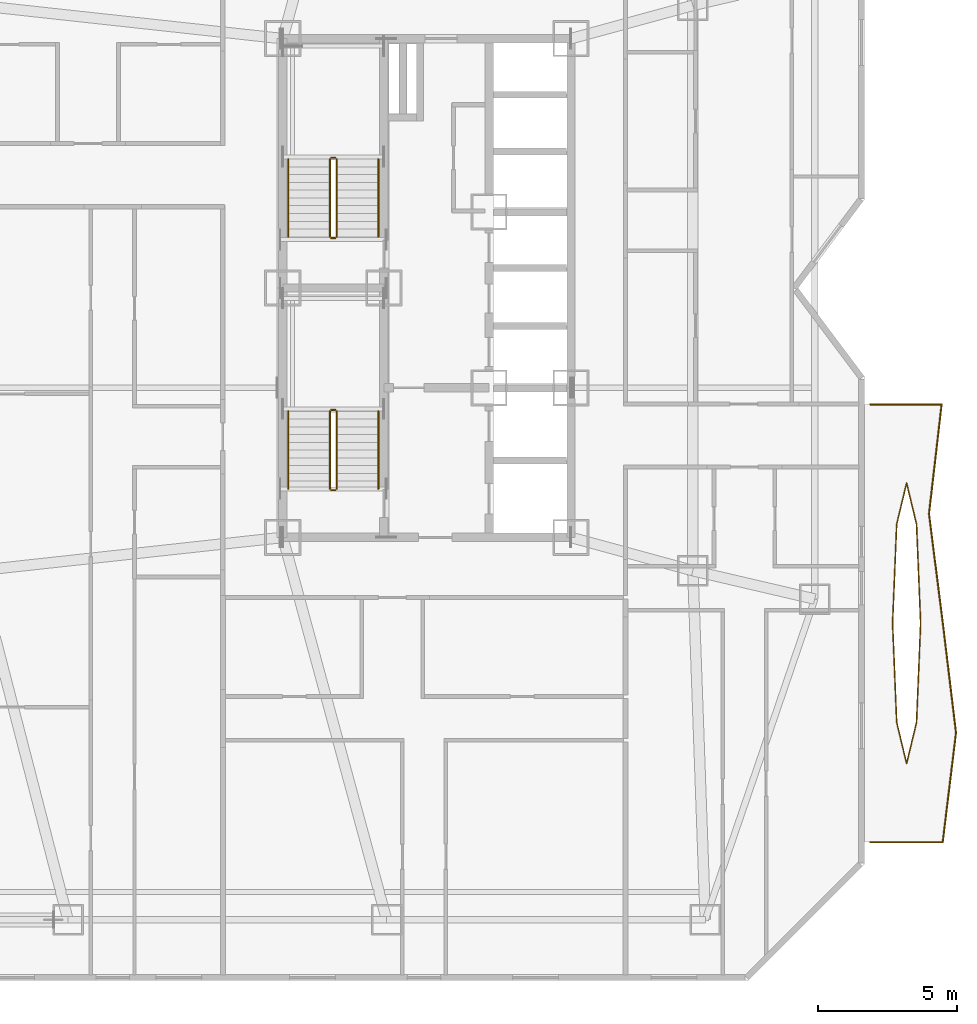
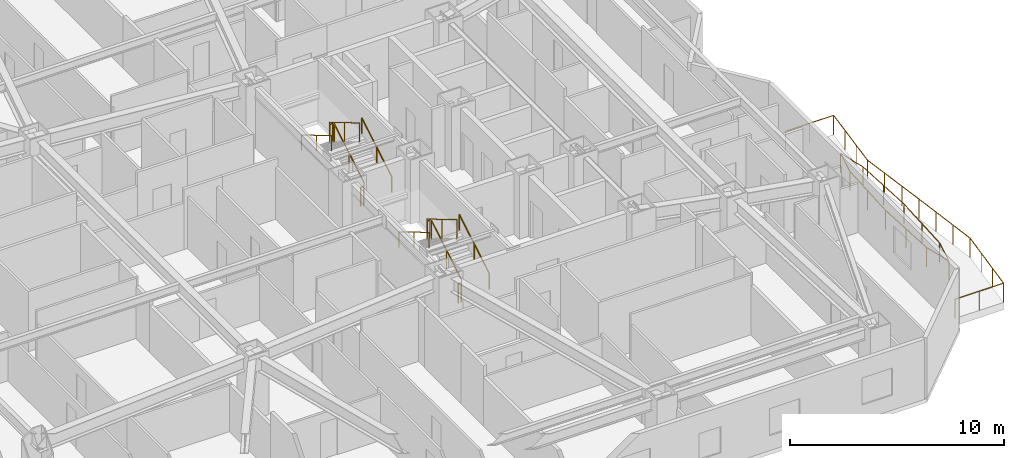
# One storey, part 15 of 16: 16 railings.
"""IFC4 building model written with IfcOpenShell, lengths in metres."""

from ifc_helpers import new_model, si_unit, direction, frame, origin, origin_2d, place, context, subcontext, project, spatial, circle, extrude, material, type_object, element, save


model = new_model("IFC4")

# Units and contexts
model_context = context("Model", 3, precision=1e-05, world=origin(), true_north=direction((0.0, 1.0)))
body_context = subcontext(model_context, "Body", "Model", "MODEL_VIEW")
ifc_project = project(units=[si_unit("LENGTHUNIT", "METRE"), si_unit("AREAUNIT", "SQUARE_METRE"), si_unit("VOLUMEUNIT", "CUBIC_METRE"), si_unit("PLANEANGLEUNIT", "RADIAN"), si_unit("MASSUNIT", "GRAM", prefix="KILO")], contexts=[model_context])

# Site, building, storey
site_placement = place(None, origin())
site = spatial("IfcSite", under=ifc_project, at=site_placement, CompositionType="ELEMENT")
building_placement = place(site_placement, origin())
building = spatial("IfcBuilding", under=site, at=building_placement, Name="Khamvora Tower", CompositionType="ELEMENT")
storey_placement = place(building_placement, frame((0.0, 0.0, 55.199951171875)))
storey = spatial("IfcBuildingStorey", under=building, at=storey_placement, Name="L13", CompositionType="ELEMENT", Elevation=55.199951171875)

# Railings
ifc_material_1 = material(Name="Stainless Steel 316 and Laminated Glass", Category="steel")
railing_type_1 = type_object("IfcRailingType", Name="RAL-GAL-1120", PredefinedType="GUARDRAIL", material=ifc_material_1)
railing_1_placement = place(storey_placement, frame((50.199951171875, 8.0, 0.0)))
element("IfcRailing", 1, at=railing_1_placement, inside=storey, type_object=railing_type_1, Name="L13 lens gallery south perimeter guardrail EL1", PredefinedType="GUARDRAIL", context=body_context, shape_type="SweptSolid", body=[
    extrude(circle(Radius=0.02392578125, at=origin_2d()), frame((0.0, 0.0, 1.09619140625), z_axis=(1.0, 0.0, 0.0), x_axis=(0.0, 1.0, 0.0)), (0.0, 0.0, 1.0), 2.6201171875),
    extrude(circle(Radius=0.02392578125, at=origin_2d()), frame((2.6201171875, 0.0, 1.09619140625), z_axis=(0.120628208714, 0.992697756249, 0.0), x_axis=(-0.992697756249, 0.120628208714, 0.0)), (0.0, 0.0, 1.0), 3.97900390625),
    extrude(circle(Radius=0.02392578125, at=origin_2d()), frame((3.10009765625, 3.949951171875, 1.09619140625), z_axis=(-0.119418653887, 0.9928439883, 0.0), x_axis=(-0.9928439883, -0.119418653887, 0.0)), (0.0, 0.0, 1.0), 3.978515625),
    extrude(circle(Radius=0.02099609375, at=origin_2d()), origin(), (0.0, 0.0, 1.0), 1.072021484375),
    extrude(circle(Radius=0.02099609375, at=origin_2d()), frame((1.31005859375, 0.0, 0.0)), (0.0, 0.0, 1.0), 1.072021484375),
    extrude(circle(Radius=0.02099609375, at=origin_2d()), frame((2.6201171875, 0.0, 0.0)), (0.0, 0.0, 1.0), 1.072021484375),
    extrude(circle(Radius=0.02099609375, at=origin_2d()), frame((2.780029296875, 1.316650390625, 0.0)), (0.0, 0.0, 1.0), 1.072021484375),
    extrude(circle(Radius=0.02099609375, at=origin_2d()), frame((2.940185546875, 2.63330078125, 0.0)), (0.0, 0.0, 1.0), 1.072021484375),
    extrude(circle(Radius=0.02099609375, at=origin_2d()), frame((3.10009765625, 3.949951171875, 0.0)), (0.0, 0.0, 1.0), 1.072021484375),
    extrude(circle(Radius=0.02099609375, at=origin_2d()), frame((2.941650390625, 5.2666015625, 0.0)), (0.0, 0.0, 1.0), 1.072021484375),
    extrude(circle(Radius=0.02099609375, at=origin_2d()), frame((2.783447265625, 6.583251953125, 0.0)), (0.0, 0.0, 1.0), 1.072021484375),
    extrude(circle(Radius=0.02099609375, at=origin_2d()), frame((2.625, 7.89990234375, 0.0)), (0.0, 0.0, 1.0), 1.072021484375),
])
railing_2_placement = place(storey_placement, frame((52.824951171875, 15.89990234375, 0.0)))
element("IfcRailing", 2, at=railing_2_placement, inside=storey, type_object=railing_type_1, Name="L13 lens gallery north perimeter guardrail EL1", PredefinedType="GUARDRAIL", context=body_context, shape_type="SweptSolid", body=[
    extrude(circle(Radius=0.02392578125, at=origin_2d()), frame((0.0, 0.0, 1.09619140625), z_axis=(-0.125574075173, 0.992084246243, 0.0), x_axis=(-0.992084246243, -0.125574075173, 0.0)), (0.0, 0.0, 1.0), 3.981689453125),
    extrude(circle(Radius=0.02392578125, at=origin_2d()), frame((-0.5, 3.9501953125, 1.09619140625), z_axis=(0.114696354248, 0.993400597102, 0.0), x_axis=(-0.993400597102, 0.114696354248, 0.0)), (0.0, 0.0, 1.0), 3.97607421875),
    extrude(circle(Radius=0.02392578125, at=origin_2d()), frame((-0.0439453125, 7.900146484375, 1.09619140625), z_axis=(-1.0, 0.0, 0.0), x_axis=(0.0, -1.0, 0.0)), (0.0, 0.0, 1.0), 2.5810546875),
    extrude(circle(Radius=0.02099609375, at=origin_2d()), origin(), (0.0, 0.0, 1.0), 1.072021484375),
    extrude(circle(Radius=0.02099609375, at=origin_2d()), frame((-0.166748046875, 1.316650390625, 0.0)), (0.0, 0.0, 1.0), 1.072021484375),
    extrude(circle(Radius=0.02099609375, at=origin_2d()), frame((-0.333251953125, 2.633544921875, 0.0)), (0.0, 0.0, 1.0), 1.072021484375),
    extrude(circle(Radius=0.02099609375, at=origin_2d()), frame((-0.5, 3.9501953125, 0.0)), (0.0, 0.0, 1.0), 1.072021484375),
    extrude(circle(Radius=0.02099609375, at=origin_2d()), frame((-0.347900390625, 5.266845703125, 0.0)), (0.0, 0.0, 1.0), 1.072021484375),
    extrude(circle(Radius=0.02099609375, at=origin_2d()), frame((-0.196044921875, 6.58349609375, 0.0)), (0.0, 0.0, 1.0), 1.072021484375),
    extrude(circle(Radius=0.02099609375, at=origin_2d()), frame((-0.0439453125, 7.900146484375, 0.0)), (0.0, 0.0, 1.0), 1.072021484375),
    extrude(circle(Radius=0.02099609375, at=origin_2d()), frame((-1.33447265625, 7.900146484375, 0.0)), (0.0, 0.0, 1.0), 1.072021484375),
    extrude(circle(Radius=0.02099609375, at=origin_2d()), frame((-2.625, 7.900146484375, 0.0)), (0.0, 0.0, 1.0), 1.072021484375),
])
railing_3_placement = place(storey_placement, frame((52.01904296875, 15.89990234375, 0.0)))
element("IfcRailing", 3, at=railing_3_placement, inside=storey, type_object=railing_type_1, Name="L13 lens gallery void guardrail EL1A", PredefinedType="GUARDRAIL", context=body_context, shape_type="SweptSolid", body=[
    extrude(circle(Radius=0.02392578125, at=origin_2d()), frame((0.0, 0.0, 1.09619140625), z_axis=(-0.041346748408, 0.999144857564, 0.0), x_axis=(-0.999144857564, -0.041346748408, 0.0)), (0.0, 0.0, 1.0), 3.578369140625),
    extrude(circle(Radius=0.02392578125, at=origin_2d()), frame((-0.14794921875, 3.5751953125, 1.09619140625), z_axis=(-0.233851831104, 0.972272246384, 0.0), x_axis=(-0.972272246384, -0.233851831104, 0.0)), (0.0, 0.0, 1.0), 1.523193359375),
    extrude(circle(Radius=0.02392578125, at=origin_2d()), frame((-0.504150390625, 5.05615234375, 1.09619140625), z_axis=(-0.233700305622, -0.972308678945, 0.0), x_axis=(0.972308678945, -0.233700305622, 0.0)), (0.0, 0.0, 1.0), 1.523193359375),
    extrude(circle(Radius=0.02392578125, at=origin_2d()), frame((-0.860107421875, 3.5751953125, 1.09619140625), z_axis=(-0.041346748408, -0.999144857564, 0.0), x_axis=(0.999144857564, -0.041346748408, 0.0)), (0.0, 0.0, 1.0), 3.578369140625),
    extrude(circle(Radius=0.02099609375, at=origin_2d()), origin(), (0.0, 0.0, 1.0), 1.072021484375),
    extrude(circle(Radius=0.02099609375, at=origin_2d()), frame((-0.073974609375, 1.78759765625, 0.0)), (0.0, 0.0, 1.0), 1.072021484375),
    extrude(circle(Radius=0.02099609375, at=origin_2d()), frame((-0.14794921875, 3.5751953125, 0.0)), (0.0, 0.0, 1.0), 1.072021484375),
    extrude(circle(Radius=0.02099609375, at=origin_2d()), frame((-0.504150390625, 5.05615234375, 0.0)), (0.0, 0.0, 1.0), 1.072021484375),
    extrude(circle(Radius=0.02099609375, at=origin_2d()), frame((-0.860107421875, 3.5751953125, 0.0)), (0.0, 0.0, 1.0), 1.072021484375),
    extrude(circle(Radius=0.02099609375, at=origin_2d()), frame((-0.93408203125, 1.78759765625, 0.0)), (0.0, 0.0, 1.0), 1.072021484375),
    extrude(circle(Radius=0.02099609375, at=origin_2d()), frame((-1.008056640625, 0.0, 0.0)), (0.0, 0.0, 1.0), 1.072021484375),
])
railing_4_placement = place(storey_placement, frame((51.010986328125, 15.89990234375, 0.0)))
element("IfcRailing", 4, at=railing_4_placement, inside=storey, type_object=railing_type_1, Name="L13 lens gallery void guardrail EL1B", PredefinedType="GUARDRAIL", context=body_context, shape_type="SweptSolid", body=[
    extrude(circle(Radius=0.02392578125, at=origin_2d()), frame((0.0, 0.0, 1.09619140625), z_axis=(0.041349567233, -0.999144740911, 0.0), x_axis=(0.999144740911, 0.041349567233, 0.0)), (0.0, 0.0, 1.0), 3.578125),
    extrude(circle(Radius=0.02392578125, at=origin_2d()), frame((0.14794921875, -3.574951171875, 1.09619140625), z_axis=(0.233700305622, -0.972308678945, 0.0), x_axis=(0.972308678945, 0.233700305622, 0.0)), (0.0, 0.0, 1.0), 1.523193359375),
    extrude(circle(Radius=0.02392578125, at=origin_2d()), frame((0.50390625, -5.055908203125, 1.09619140625), z_axis=(0.233851831104, 0.972272246384, 0.0), x_axis=(-0.972272246384, 0.233851831104, 0.0)), (0.0, 0.0, 1.0), 1.523193359375),
    extrude(circle(Radius=0.02392578125, at=origin_2d()), frame((0.860107421875, -3.574951171875, 1.09619140625), z_axis=(0.041349567233, 0.999144740911, 0.0), x_axis=(-0.999144740911, 0.041349567233, 0.0)), (0.0, 0.0, 1.0), 3.578125),
    extrude(circle(Radius=0.02099609375, at=origin_2d()), origin(), (0.0, 0.0, 1.0), 1.072021484375),
    extrude(circle(Radius=0.02099609375, at=origin_2d()), frame((0.073974609375, -1.78759765625, 0.0)), (0.0, 0.0, 1.0), 1.072021484375),
    extrude(circle(Radius=0.02099609375, at=origin_2d()), frame((0.14794921875, -3.574951171875, 0.0)), (0.0, 0.0, 1.0), 1.072021484375),
    extrude(circle(Radius=0.02099609375, at=origin_2d()), frame((0.50390625, -5.055908203125, 0.0)), (0.0, 0.0, 1.0), 1.072021484375),
    extrude(circle(Radius=0.02099609375, at=origin_2d()), frame((0.860107421875, -3.574951171875, 0.0)), (0.0, 0.0, 1.0), 1.072021484375),
    extrude(circle(Radius=0.02099609375, at=origin_2d()), frame((0.93408203125, -1.78759765625, 0.0)), (0.0, 0.0, 1.0), 1.072021484375),
    extrude(circle(Radius=0.02099609375, at=origin_2d()), frame((1.008056640625, 0.0, 0.0)), (0.0, 0.0, 1.0), 1.072021484375),
])
ifc_material_2 = material(Name="Brushed Stainless Steel 316", Category="steel")
railing_type_2 = type_object("IfcRailingType", Name="RAL-HDR-920", PredefinedType="HANDRAIL", material=ifc_material_2)
railing_5_placement = place(storey_placement, frame((32.449951171875, 20.75, 0.166015625)))
element("IfcRailing", 5, at=railing_5_placement, inside=storey, type_object=railing_type_2, Name="L13 ST-01 stair handrail 1", PredefinedType="HANDRAIL", context=body_context, shape_type="SweptSolid", body=[
    extrude(circle(Radius=0.02392578125, at=origin_2d()), frame((0.0, 0.0, 0.8759765625), z_axis=(0.0, 0.860339051648, 0.50972219513), x_axis=(-1.0, 0.0, 0.0)), (0.0, 0.0, 1.0), 3.254638671875),
    extrude(circle(Radius=0.02099609375, at=origin_2d()), origin(), (0.0, 0.0, 1.0), 0.851806640625),
    extrude(circle(Radius=0.02099609375, at=origin_2d()), frame((0.0, 1.39990234375, 0.82958984375)), (0.0, 0.0, 1.0), 0.851806640625),
    extrude(circle(Radius=0.02099609375, at=origin_2d()), frame((0.0, 2.800048828125, 1.658935546875)), (0.0, 0.0, 1.0), 0.851806640625),
])
railing_6_placement = place(storey_placement, frame((29.199951171875, 23.550048828125, 1.990966796875)))
element("IfcRailing", 6, at=railing_6_placement, inside=storey, type_object=railing_type_2, Name="L13 ST-01 stair handrail 2", PredefinedType="HANDRAIL", context=body_context, shape_type="SweptSolid", body=[
    extrude(circle(Radius=0.02392578125, at=origin_2d()), frame((0.0, 0.0, 0.8759765625), z_axis=(0.0, -0.860306154799, 0.50977771628), x_axis=(1.0, 0.0, 0.0)), (0.0, 0.0, 1.0), 3.254638671875),
    extrude(circle(Radius=0.02099609375, at=origin_2d()), origin(), (0.0, 0.0, 1.0), 0.851806640625),
    extrude(circle(Radius=0.02099609375, at=origin_2d()), frame((0.0, -1.39990234375, 0.82958984375)), (0.0, 0.0, 1.0), 0.851806640625),
    extrude(circle(Radius=0.02099609375, at=origin_2d()), frame((0.0, -2.800048828125, 1.6591796875)), (0.0, 0.0, 1.0), 0.851806640625),
])
railing_7_placement = place(storey_placement, frame((32.449951171875, 29.85009765625, 0.166015625)))
element("IfcRailing", 7, at=railing_7_placement, inside=storey, type_object=railing_type_2, Name="L13 ST-02 stair handrail 1", PredefinedType="HANDRAIL", context=body_context, shape_type="SweptSolid", body=[
    extrude(circle(Radius=0.02392578125, at=origin_2d()), frame((0.0, 0.0, 0.8759765625), z_axis=(0.0, 0.860319559791, 0.509755093197), x_axis=(-1.0, 0.0, 0.0)), (0.0, 0.0, 1.0), 3.25439453125),
    extrude(circle(Radius=0.02099609375, at=origin_2d()), origin(), (0.0, 0.0, 1.0), 0.851806640625),
    extrude(circle(Radius=0.02099609375, at=origin_2d()), frame((0.0, 1.39990234375, 0.82958984375)), (0.0, 0.0, 1.0), 0.851806640625),
    extrude(circle(Radius=0.02099609375, at=origin_2d()), frame((0.0, 2.7998046875, 1.658935546875)), (0.0, 0.0, 1.0), 0.851806640625),
])
railing_8_placement = place(storey_placement, frame((29.199951171875, 32.64990234375, 1.990966796875)))
element("IfcRailing", 8, at=railing_8_placement, inside=storey, type_object=railing_type_2, Name="L13 ST-02 stair handrail 2", PredefinedType="HANDRAIL", context=body_context, shape_type="SweptSolid", body=[
    extrude(circle(Radius=0.02392578125, at=origin_2d()), frame((0.0, 0.0, 0.8759765625), z_axis=(0.0, -0.860286659441, 0.509810615413), x_axis=(1.0, 0.0, 0.0)), (0.0, 0.0, 1.0), 3.25439453125),
    extrude(circle(Radius=0.02099609375, at=origin_2d()), origin(), (0.0, 0.0, 1.0), 0.851806640625),
    extrude(circle(Radius=0.02099609375, at=origin_2d()), frame((0.0, -1.39990234375, 0.82958984375)), (0.0, 0.0, 1.0), 0.851806640625),
    extrude(circle(Radius=0.02099609375, at=origin_2d()), frame((0.0, -2.7998046875, 1.6591796875)), (0.0, 0.0, 1.0), 0.851806640625),
])
ifc_material_3 = material(Name="Stainless Steel 316", Category="steel")
railing_type_3 = type_object("IfcRailingType", Name="RAL-STG-1100", PredefinedType="GUARDRAIL", material=ifc_material_3)
railing_9_placement = place(storey_placement, frame((30.949951171875, 20.75, 0.166015625)))
element("IfcRailing", 9, at=railing_9_placement, inside=storey, type_object=railing_type_3, Name="L13 ST-01 stair guard 1", PredefinedType="GUARDRAIL", context=body_context, shape_type="SweptSolid", body=[
    extrude(circle(Radius=0.02392578125, at=origin_2d()), frame((0.0, 0.0, 1.076171875), z_axis=(0.0, 0.860339051648, 0.50972219513), x_axis=(-1.0, 0.0, 0.0)), (0.0, 0.0, 1.0), 3.254638671875),
    extrude(circle(Radius=0.02099609375, at=origin_2d()), origin(), (0.0, 0.0, 1.0), 1.052001953125),
    extrude(circle(Radius=0.02099609375, at=origin_2d()), frame((0.0, 1.39990234375, 0.82958984375)), (0.0, 0.0, 1.0), 1.052001953125),
    extrude(circle(Radius=0.02099609375, at=origin_2d()), frame((0.0, 2.800048828125, 1.658935546875)), (0.0, 0.0, 1.0), 1.052001953125),
])
railing_10_placement = place(storey_placement, frame((30.89990234375, 23.60009765625, 1.824951171875)))
element("IfcRailing", 10, at=railing_10_placement, inside=storey, type_object=railing_type_3, Name="L13 ST-01 stair guard 2", PredefinedType="GUARDRAIL", context=body_context, shape_type="SweptSolid", body=[
    extrude(circle(Radius=0.02392578125, at=origin_2d()), frame((0.0, 0.0, 1.076171875), z_axis=(-1.0, 0.0, 0.0), x_axis=(0.0, -1.0, 0.0)), (0.0, 0.0, 1.0), 0.14990234375),
    extrude(circle(Radius=0.02099609375, at=origin_2d()), origin(), (0.0, 0.0, 1.0), 1.052001953125),
    extrude(circle(Radius=0.02099609375, at=origin_2d()), frame((-0.14990234375, 0.0, 0.0)), (0.0, 0.0, 1.0), 1.052001953125),
])
railing_11_placement = place(storey_placement, frame((30.699951171875, 23.550048828125, 1.990966796875)))
element("IfcRailing", 11, at=railing_11_placement, inside=storey, type_object=railing_type_3, Name="L13 ST-01 stair guard 3", PredefinedType="GUARDRAIL", context=body_context, shape_type="SweptSolid", body=[
    extrude(circle(Radius=0.02392578125, at=origin_2d()), frame((0.0, 0.0, 1.076171875), z_axis=(0.0, -0.860306154799, 0.50977771628), x_axis=(1.0, 0.0, 0.0)), (0.0, 0.0, 1.0), 3.254638671875),
    extrude(circle(Radius=0.02099609375, at=origin_2d()), origin(), (0.0, 0.0, 1.0), 1.052001953125),
    extrude(circle(Radius=0.02099609375, at=origin_2d()), frame((0.0, -1.39990234375, 0.82958984375)), (0.0, 0.0, 1.0), 1.052001953125),
    extrude(circle(Radius=0.02099609375, at=origin_2d()), frame((0.0, -2.800048828125, 1.6591796875)), (0.0, 0.0, 1.0), 1.052001953125),
])
railing_12_placement = place(storey_placement, frame((30.89990234375, 20.699951171875, 0.0)))
element("IfcRailing", 12, at=railing_12_placement, inside=storey, type_object=railing_type_3, Name="L13 ST-01 stair guard 4", PredefinedType="GUARDRAIL", context=body_context, shape_type="SweptSolid", body=[
    extrude(circle(Radius=0.02392578125, at=origin_2d()), frame((0.0, 0.0, 1.076171875), z_axis=(-1.0, 0.0, 0.0), x_axis=(0.0, -1.0, 0.0)), (0.0, 0.0, 1.0), 0.14990234375),
    extrude(circle(Radius=0.02099609375, at=origin_2d()), origin(), (0.0, 0.0, 1.0), 1.052001953125),
    extrude(circle(Radius=0.02099609375, at=origin_2d()), frame((-0.14990234375, 0.0, 0.0)), (0.0, 0.0, 1.0), 1.052001953125),
])
railing_13_placement = place(storey_placement, frame((30.949951171875, 29.85009765625, 0.166015625)))
element("IfcRailing", 13, at=railing_13_placement, inside=storey, type_object=railing_type_3, Name="L13 ST-02 stair guard 1", PredefinedType="GUARDRAIL", context=body_context, shape_type="SweptSolid", body=[
    extrude(circle(Radius=0.02392578125, at=origin_2d()), frame((0.0, 0.0, 1.076171875), z_axis=(0.0, 0.860319559791, 0.509755093197), x_axis=(-1.0, 0.0, 0.0)), (0.0, 0.0, 1.0), 3.25439453125),
    extrude(circle(Radius=0.02099609375, at=origin_2d()), origin(), (0.0, 0.0, 1.0), 1.052001953125),
    extrude(circle(Radius=0.02099609375, at=origin_2d()), frame((0.0, 1.39990234375, 0.82958984375)), (0.0, 0.0, 1.0), 1.052001953125),
    extrude(circle(Radius=0.02099609375, at=origin_2d()), frame((0.0, 2.7998046875, 1.658935546875)), (0.0, 0.0, 1.0), 1.052001953125),
])
railing_14_placement = place(storey_placement, frame((30.89990234375, 32.699951171875, 1.824951171875)))
element("IfcRailing", 14, at=railing_14_placement, inside=storey, type_object=railing_type_3, Name="L13 ST-02 stair guard 2", PredefinedType="GUARDRAIL", context=body_context, shape_type="SweptSolid", body=[
    extrude(circle(Radius=0.02392578125, at=origin_2d()), frame((0.0, 0.0, 1.076171875), z_axis=(-1.0, 0.0, 0.0), x_axis=(0.0, -1.0, 0.0)), (0.0, 0.0, 1.0), 0.14990234375),
    extrude(circle(Radius=0.02099609375, at=origin_2d()), origin(), (0.0, 0.0, 1.0), 1.052001953125),
    extrude(circle(Radius=0.02099609375, at=origin_2d()), frame((-0.14990234375, 0.0, 0.0)), (0.0, 0.0, 1.0), 1.052001953125),
])
railing_15_placement = place(storey_placement, frame((30.699951171875, 32.64990234375, 1.990966796875)))
element("IfcRailing", 15, at=railing_15_placement, inside=storey, type_object=railing_type_3, Name="L13 ST-02 stair guard 3", PredefinedType="GUARDRAIL", context=body_context, shape_type="SweptSolid", body=[
    extrude(circle(Radius=0.02392578125, at=origin_2d()), frame((0.0, 0.0, 1.076171875), z_axis=(0.0, -0.860286659441, 0.509810615413), x_axis=(1.0, 0.0, 0.0)), (0.0, 0.0, 1.0), 3.25439453125),
    extrude(circle(Radius=0.02099609375, at=origin_2d()), origin(), (0.0, 0.0, 1.0), 1.052001953125),
    extrude(circle(Radius=0.02099609375, at=origin_2d()), frame((0.0, -1.39990234375, 0.82958984375)), (0.0, 0.0, 1.0), 1.052001953125),
    extrude(circle(Radius=0.02099609375, at=origin_2d()), frame((0.0, -2.7998046875, 1.6591796875)), (0.0, 0.0, 1.0), 1.052001953125),
])
railing_16_placement = place(storey_placement, frame((30.89990234375, 29.800048828125, 0.0)))
element("IfcRailing", 16, at=railing_16_placement, inside=storey, type_object=railing_type_3, Name="L13 ST-02 stair guard 4", PredefinedType="GUARDRAIL", context=body_context, shape_type="SweptSolid", body=[
    extrude(circle(Radius=0.02392578125, at=origin_2d()), frame((0.0, 0.0, 1.076171875), z_axis=(-1.0, 0.0, 0.0), x_axis=(0.0, -1.0, 0.0)), (0.0, 0.0, 1.0), 0.14990234375),
    extrude(circle(Radius=0.02099609375, at=origin_2d()), origin(), (0.0, 0.0, 1.0), 1.052001953125),
    extrude(circle(Radius=0.02099609375, at=origin_2d()), frame((-0.14990234375, 0.0, 0.0)), (0.0, 0.0, 1.0), 1.052001953125),
])

save(model, "model.ifc")
